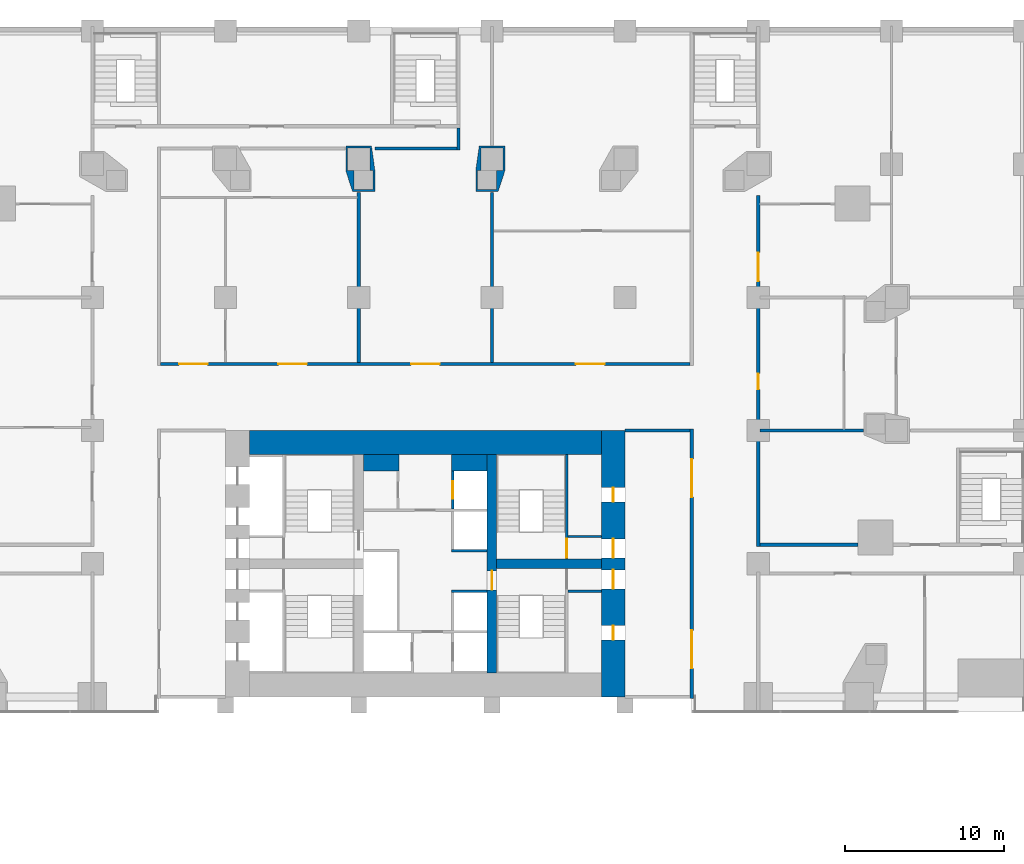
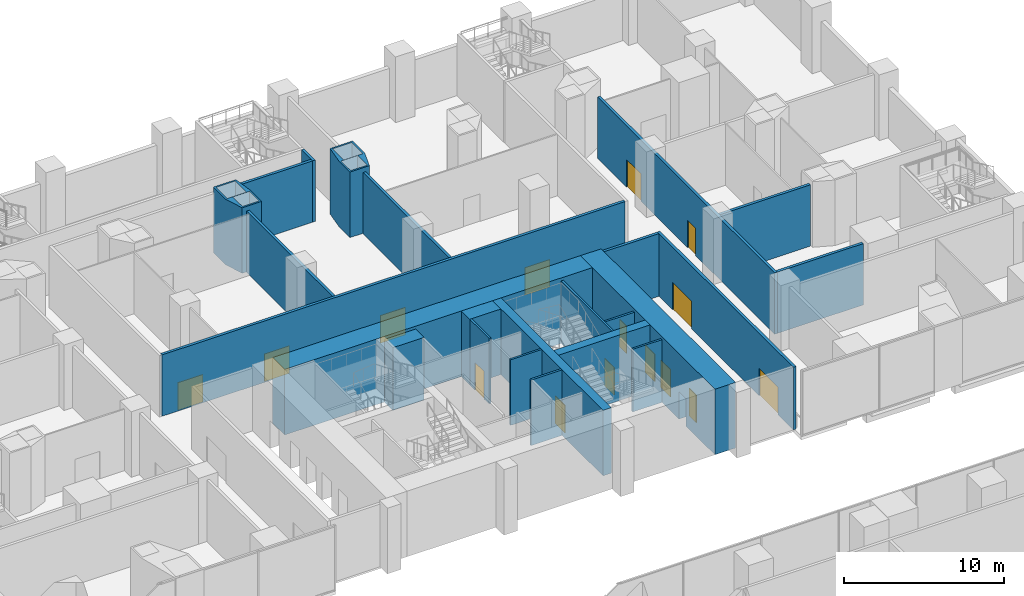
# One storey, part 14 of 24: 24 walls, 15 doors, 15 openings.
"""IFC4 building model written with IfcOpenShell, lengths in metres."""

import ifcopenshell
import ifcopenshell.guid

model = None  # the IFC model being written
_history = None  # IfcOwnerHistory: only IFC2X3 demands one
_inside = {}  # id of a spatial element -> (the spatial element, [elements in it])
_under = {}  # id of a project, library or spatial element -> (it, [spatial elements below it])
_declared = {}  # id of a project -> (the project, [libraries it declares])
_typed = {}  # id of a type object -> (the type object, [elements of that type])
_made_of = {}  # id of a material, layer set ... -> (it, [elements and type objects made of it])


def new_model(schema):
    """Start an empty IFC model of exactly this schema.

    Asked for "IFC4X3", IfcOpenShell would pick the latest addendum, in which some entities
    have other attributes; the version numbers below select the first issue.
    IFC2X3 requires an IfcOwnerHistory on every rooted entity: one is made here for all.
    """
    global model, _history
    if schema == "IFC4X3":
        model = ifcopenshell.file(schema_version=(4, 3, 0, 0))
    else:
        model = ifcopenshell.file(schema=schema)
    _inside.clear()
    _under.clear()
    _declared.clear()
    _typed.clear()
    _made_of.clear()
    _history = None
    if model.schema == "IFC2X3":
        org = make("IfcOrganization", Name="unknown")
        user = make(
            "IfcPersonAndOrganization",
            ThePerson=make("IfcPerson", FamilyName="unknown"),
            TheOrganization=org,
        )
        app = make(
            "IfcApplication",
            ApplicationDeveloper=org,
            Version="unknown",
            ApplicationFullName="unknown",
            ApplicationIdentifier="unknown",
        )
        _history = make(
            "IfcOwnerHistory",
            OwningUser=user,
            OwningApplication=app,
            ChangeAction="ADDED",
            CreationDate=0,
        )
    return model


def make(cls, **values):
    """One entity of the class cls with the attributes given. An attribute that is None is left unset."""
    return model.create_entity(
        cls, **{name: value for name, value in values.items() if value is not None}
    )


def rooted(cls, **values):
    """An entity with a GlobalId (a new one), such as an element, a storey or a relation."""
    return make(cls, GlobalId=ifcopenshell.guid.new(), OwnerHistory=_history, **values)


def si_unit(unit_type, name, prefix=None):
    """IfcSIUnit, for example si_unit("LENGTHUNIT", "METRE", prefix="MILLI")."""
    return make("IfcSIUnit", UnitType=unit_type, Prefix=prefix, Name=name)


def assignment(units):
    """IfcUnitAssignment: the units of a project."""
    return None if units is None else make("IfcUnitAssignment", Units=units)


def point(xyz):
    """IfcCartesianPoint."""
    return None if xyz is None else make("IfcCartesianPoint", Coordinates=xyz)


def direction(xyz):
    """IfcDirection."""
    return None if xyz is None else make("IfcDirection", DirectionRatios=xyz)


def frame(location, z_axis=None, x_axis=None):
    """IfcAxis2Placement3D, a coordinate frame: its origin and axes. An axis left out is left unset."""
    return make(
        "IfcAxis2Placement3D",
        Location=point(location),
        Axis=direction(z_axis),
        RefDirection=direction(x_axis),
    )


def frame_2d(location, x_axis=None):
    """IfcAxis2Placement2D, a coordinate frame in the plane: its origin and x axis."""
    return make(
        "IfcAxis2Placement2D", Location=point(location), RefDirection=direction(x_axis)
    )


def origin():
    """The frame at (0, 0, 0) with its axes left unset."""
    return frame((0.0, 0.0, 0.0))


def place(relative_to, where):
    """IfcLocalPlacement: puts the frame where relative to a parent placement (None: the world)."""
    return make(
        "IfcLocalPlacement", PlacementRelTo=relative_to, RelativePlacement=where
    )


def context(
    kind, dimensions, precision=None, world=None, true_north=None, identifier=None
):
    """IfcGeometricRepresentationContext, for example the 3D "Model" context."""
    return make(
        "IfcGeometricRepresentationContext",
        ContextIdentifier=identifier,
        ContextType=kind,
        CoordinateSpaceDimension=dimensions,
        Precision=precision,
        WorldCoordinateSystem=world,
        TrueNorth=true_north,
    )


def subcontext(parent, identifier, kind, view, scale=None):
    """IfcGeometricRepresentationSubContext, for example "Body" below "Model"."""
    return make(
        "IfcGeometricRepresentationSubContext",
        ContextIdentifier=identifier,
        ContextType=kind,
        ParentContext=parent,
        TargetScale=scale,
        TargetView=view,
    )


def project(units=None, contexts=None):
    """IfcProject with its units and contexts."""
    return rooted(
        "IfcProject",
        Name="project",
        RepresentationContexts=contexts,
        UnitsInContext=assignment(units),
    )


def spatial(cls, under=None, at=None, **own):
    """A site, building, storey or space (cls), placed at a placement, below another one or the project."""
    s = rooted(cls, ObjectPlacement=at, **own)
    if under is not None:
        _under.setdefault(under.id(), (under, []))[1].append(s)
    return s


def polyline(points):
    """IfcPolyline through the points."""
    return make("IfcPolyline", Points=[point(p) for p in points])


def profile(cls, at=None, kind="AREA", **sizes):
    """A parametric profile (cls). Its sizes go by their IFC names, for example OverallWidth=200.0."""
    return make(cls, ProfileType=kind, Position=at, **sizes)


def rectangle(**sizes):
    """IfcRectangleProfileDef."""
    return profile("IfcRectangleProfileDef", **sizes)


def outline(outer, holes=None, kind="AREA"):
    """IfcArbitraryClosedProfileDef: a profile drawn as a closed curve; with holes, ...WithVoids."""
    if holes is None:
        return make("IfcArbitraryClosedProfileDef", ProfileType=kind, OuterCurve=outer)
    return make(
        "IfcArbitraryProfileDefWithVoids",
        ProfileType=kind,
        OuterCurve=outer,
        InnerCurves=holes,
    )


def extrude(swept, where, along, depth):
    """IfcExtrudedAreaSolid: the profile swept, set in the frame where, extruded along a direction by depth."""
    return make(
        "IfcExtrudedAreaSolid",
        SweptArea=swept,
        Position=where,
        ExtrudedDirection=direction(along),
        Depth=depth,
    )


def shape(context_of_items, identifier, shape_type, items):
    """IfcShapeRepresentation: the items that make up one representation, for example the "Body"."""
    return make(
        "IfcShapeRepresentation",
        ContextOfItems=context_of_items,
        RepresentationIdentifier=identifier,
        RepresentationType=shape_type,
        Items=items,
    )


def material(Name=None, Category=None):
    """IfcMaterial."""
    return make("IfcMaterial", Name=Name, Category=Category)


def layer(
    of_material, thickness, ventilated=None, Name=None, Category=None, Priority=None
):
    """IfcMaterialLayer: one layer of a wall or slab, of a material (None: an air gap)."""
    return make(
        "IfcMaterialLayer",
        Material=of_material,
        LayerThickness=thickness,
        IsVentilated=ventilated,
        Name=Name,
        Category=Category,
        Priority=Priority,
    )


def layer_set(layers, Name=None):
    """IfcMaterialLayerSet."""
    return make("IfcMaterialLayerSet", MaterialLayers=layers, LayerSetName=Name)


def made_of(thing, what):
    """Note that an element or type object is made of a material, layer set ...; save() writes the relation."""
    if what is not None:
        _made_of.setdefault(what.id(), (what, []))[1].append(thing)
    return thing


def type_object(cls, material=None, **own):
    """A type object (cls), such as IfcWallType, which elements share."""
    return made_of(rooted(cls, **own), material)


def element(
    cls,
    number,
    at=None,
    inside=None,
    cuts=None,
    type_object=None,
    material=None,
    context=None,
    identifier="Body",
    shape_type=None,
    held_by="IfcProductDefinitionShape",
    body=None,
    shapes=None,
    **own,
):
    """One element of the class cls, such as IfcWall. Its Tag is "e" and its number.

    at: its placement. inside: the storey or other place that contains it. cuts: it is an
    opening in that element (IfcRelVoidsElement). A single representation is given by context,
    identifier, shape_type and body (its items); several are given by shapes. held_by: the class
    of the entity that holds the representations. save() writes the other relations.
    """
    e = rooted(cls, Tag="e%d" % number, ObjectPlacement=at, **own)
    if body is not None:
        shapes = [shape(context, identifier, shape_type, body)]
    if shapes is not None:
        e.Representation = make(held_by, Representations=shapes)
    if inside is not None:
        _inside.setdefault(inside.id(), (inside, []))[1].append(e)
    if cuts is not None:
        rooted(
            "IfcRelVoidsElement", RelatingBuildingElement=cuts, RelatedOpeningElement=e
        )
    if type_object is not None:
        _typed.setdefault(type_object.id(), (type_object, []))[1].append(e)
    return made_of(e, material)


def fill(opening, filler):
    """IfcRelFillsElement: the door or window that sits in an opening."""
    return rooted(
        "IfcRelFillsElement",
        RelatingOpeningElement=opening,
        RelatedBuildingElement=filler,
    )


def aggregate(whole, parts):
    """IfcRelAggregates: a whole, such as a stair, and the parts it consists of."""
    return rooted("IfcRelAggregates", RelatingObject=whole, RelatedObjects=parts)


def save(model, path):
    """Write the relations noted so far, then the file.

    IfcRelAggregates (storeys below a building ...), IfcRelContainedInSpatialStructure (elements
    in a storey), IfcRelDefinesByType, IfcRelAssociatesMaterial and IfcRelDeclares: one each for
    every whole, place, type object, material and project.
    """
    for whole, parts in _under.values():
        aggregate(whole, parts)
    for where, things in _inside.values():
        rooted(
            "IfcRelContainedInSpatialStructure",
            RelatedElements=things,
            RelatingStructure=where,
        )
    for kind, things in _typed.values():
        rooted("IfcRelDefinesByType", RelatedObjects=things, RelatingType=kind)
    for what, things in _made_of.values():
        rooted("IfcRelAssociatesMaterial", RelatedObjects=things, RelatingMaterial=what)
    for by, libraries in _declared.values():
        rooted("IfcRelDeclares", RelatingContext=by, RelatedDefinitions=libraries)
    model.write(path)


model = new_model("IFC4")

# Units and contexts
model_context = context("Model", 3, precision=1e-05, world=origin(), true_north=direction((0.0, 1.0)))
body_context = subcontext(model_context, "Body", "Model", "MODEL_VIEW")
ifc_project = project(units=[si_unit("LENGTHUNIT", "METRE"), si_unit("AREAUNIT", "SQUARE_METRE"), si_unit("VOLUMEUNIT", "CUBIC_METRE"), si_unit("PLANEANGLEUNIT", "RADIAN"), si_unit("MASSUNIT", "GRAM", prefix="KILO")], contexts=[model_context])

# Site, building, storey
site_placement = place(None, origin())
site = spatial("IfcSite", under=ifc_project, at=site_placement, CompositionType="ELEMENT")
building_placement = place(site_placement, origin())
building = spatial("IfcBuilding", under=site, at=building_placement, Name="Marenta Gate Hotel Tower", CompositionType="ELEMENT")
storey_placement = place(building_placement, frame((0.0, 0.0, 8.0)))
storey = spatial("IfcBuildingStorey", under=building, at=storey_placement, Name="L01", CompositionType="ELEMENT", Elevation=8.0)

# Wall, openings, doors
ifc_material_1 = material(Name="Concrete blockwork", Category="masonry")
ifc_layer_1 = layer(ifc_material_1, 0.199951171875)
ifc_layer_set_1 = layer_set([ifc_layer_1], Name="Concrete blockwork")
wall_type_1 = type_object("IfcWallType", Name="Core boundary wall 200 REI 180", PredefinedType="PARTITIONING", material=ifc_layer_set_1)
wall_1_placement = place(storey_placement, frame((16.800048828125, -0.10009765625, 0.0), z_axis=(0.0, 0.0, 1.0), x_axis=(0.0, 1.0, 0.0)))
wall_1 = element("IfcWall", 1, at=wall_1_placement, inside=storey, type_object=wall_type_1, Name="L01-CP-BW-E", PredefinedType="PARTITIONING", context=body_context, shape_type="SweptSolid", body=[
    extrude(rectangle(XDim=17.0, YDim=0.199951171875, at=frame_2d((8.5, 0.0))), origin(), (0.0, 0.0, 1.0), 4.780029296875),
])
opening_1_placement = place(wall_1_placement, frame((1.89990234375, 0.0, 0.0)))
opening_1 = element("IfcOpeningElement", 2, at=opening_1_placement, cuts=wall_1, Name="Opening ED-Ea-A", PredefinedType="OPENING", context=body_context, shape_type="SweptSolid", body=[
    extrude(rectangle(XDim=2.39990234375, YDim=2.10009765625, at=frame_2d((1.199951171875, 1.050048828125))), frame((0.0, 0.10009765625, 0.0), z_axis=(0.0, -1.0, 0.0), x_axis=(1.0, 0.0, 0.0)), (0.0, 0.0, 1.0), 0.199951171875),
])
opening_2_placement = place(wall_1_placement, frame((12.699951171875, 0.0, 0.0)))
opening_2 = element("IfcOpeningElement", 3, at=opening_2_placement, cuts=wall_1, Name="Opening ED-Eb-A", PredefinedType="OPENING", context=body_context, shape_type="SweptSolid", body=[
    extrude(rectangle(XDim=2.39990234375, YDim=2.10009765625, at=frame_2d((1.199951171875, 1.050048828125))), frame((0.0, 0.10009765625, 0.0), z_axis=(0.0, -1.0, 0.0), x_axis=(1.0, 0.0, 0.0)), (0.0, 0.0, 1.0), 0.199951171875),
])
ifc_material_2 = material(Name="Steel", Category="steel")
door_type_1 = type_object("IfcDoorType", Name="Core lobby entrance door 2400x2100 EI 60", OperationType="DOUBLE_DOOR_SINGLE_SWING", PredefinedType="DOOR", material=ifc_material_2)
door_1_placement = place(opening_1_placement, origin())
door_1 = element("IfcDoor", 4, at=door_1_placement, inside=storey, type_object=door_type_1, Name="ED-Ea-A", OperationType="DOUBLE_DOOR_SINGLE_SWING", OverallHeight=2.10009765625, OverallWidth=2.39990234375, PredefinedType="DOOR", context=body_context, shape_type="SweptSolid", body=[
    extrude(rectangle(XDim=2.39990234375, YDim=2.10009765625, at=frame_2d((1.199951171875, 1.050048828125))), frame((0.0, 0.02490234375, 0.0), z_axis=(0.0, -1.0, 0.0), x_axis=(1.0, 0.0, 0.0)), (0.0, 0.0, 1.0), 0.050048828125),
])
fill(opening_1, door_1)
door_2_placement = place(opening_2_placement, origin())
door_2 = element("IfcDoor", 5, at=door_2_placement, inside=storey, type_object=door_type_1, Name="ED-Eb-A", OperationType="DOUBLE_DOOR_SINGLE_SWING", OverallHeight=2.10009765625, OverallWidth=2.39990234375, PredefinedType="DOOR", context=body_context, shape_type="SweptSolid", body=[
    extrude(rectangle(XDim=2.39990234375, YDim=2.10009765625, at=frame_2d((1.199951171875, 1.050048828125))), frame((0.0, 0.02490234375, 0.0), z_axis=(0.0, -1.0, 0.0), x_axis=(1.0, 0.0, 0.0)), (0.0, 0.0, 1.0), 0.050048828125),
])
fill(opening_2, door_2)

# Walls
wall_2_placement = place(storey_placement, frame((12.60009765625, 16.800048828125, 0.0), z_axis=(0.0, 0.0, 1.0), x_axis=(1.0, 0.0, 0.0)))
element("IfcWall", 6, at=wall_2_placement, inside=storey, type_object=wall_type_1, Name="L01-CP-EW-EN", PredefinedType="PARTITIONING", context=body_context, shape_type="SweptSolid", body=[
    extrude(rectangle(XDim=4.099853515625, YDim=0.199951171875, at=frame_2d((2.0498046875, 0.0))), origin(), (0.0, 0.0, 1.0), 4.780029296875),
])
ifc_material_3 = material(Name="Concrete blockwork", Category="masonry")
ifc_layer_2 = layer(ifc_material_3, 1.050048828125)
ifc_layer_set_2 = layer_set([ifc_layer_2], Name="Concrete blockwork")
wall_type_2 = type_object("IfcWallType", Name="Core room partition 1050 REI 180", PredefinedType="PARTITIONING", material=ifc_layer_set_2)
wall_3_placement = place(storey_placement, frame((-3.89990234375, 14.77490234375, 0.0), z_axis=(0.0, 0.0, 1.0), x_axis=(1.0, 0.0, 0.0)))
element("IfcWall", 7, at=wall_3_placement, inside=storey, type_object=wall_type_2, Name="L01-CP-CW-W-riser-N", PredefinedType="PARTITIONING", context=body_context, shape_type="SweptSolid", body=[
    extrude(rectangle(XDim=2.25, YDim=1.050048828125, at=frame_2d((1.125, 0.0))), origin(), (0.0, 0.0, 1.0), 4.780029296875),
])
ifc_material_4 = material(Name="Concrete blockwork", Category="masonry")
ifc_layer_3 = layer(ifc_material_4, 0.14990234375)
ifc_layer_set_3 = layer_set([ifc_layer_3], Name="Concrete blockwork")
wall_type_3 = type_object("IfcWallType", Name="Core room partition 150 REI 180", PredefinedType="PARTITIONING", material=ifc_layer_set_3)
for number, where, z_axis, x_axis, name in (
    (8, (9.0, 6.675048828125, 0.0), (0.0, 0.0, 1.0), (1.0, 0.0, 0.0), "L01-CP-SW-ES-2"),
    (9, (9.0, 10.125, 0.0), (0.0, 0.0, 1.0), (1.0, 0.0, 0.0), "L01-CP-SW-EN-2"),
):
    element("IfcWall", number, at=place(storey_placement, frame(where, z_axis=z_axis, x_axis=x_axis)), inside=storey, type_object=wall_type_3, Name=name, PredefinedType="PARTITIONING", context=body_context, shape_type="SweptSolid", body=[
        extrude(rectangle(XDim=2.10009765625, YDim=0.14990234375, at=frame_2d((1.050048828125, 0.0))), origin(), (0.0, 0.0, 1.0), 4.780029296875),
    ])
ifc_material_5 = material(Name="Concrete C40", Category="concrete")
ifc_layer_4 = layer(ifc_material_5, 1.050048828125)
ifc_layer_set_4 = layer_set([ifc_layer_4], Name="Concrete C40")
wall_type_4 = type_object("IfcWallType", Name="Core shaft wall 1050 REI 180", PredefinedType="SHEAR", material=ifc_layer_set_4)
wall_4_placement = place(storey_placement, frame((1.64990234375, 14.77490234375, 0.0), z_axis=(0.0, 0.0, 1.0), x_axis=(1.0, 0.0, 0.0)))
element("IfcWall", 10, at=wall_4_placement, inside=storey, type_object=wall_type_4, Name="L01-SHF-CE-N-top", PredefinedType="SHEAR", context=body_context, shape_type="SweptSolid", body=[
    extrude(rectangle(XDim=2.25, YDim=1.050048828125, at=frame_2d((1.125, 0.0))), origin(), (0.0, 0.0, 1.0), 5.0),
])

# Wall, opening, door
ifc_material_6 = material(Name="Concrete C40", Category="concrete")
ifc_layer_5 = layer(ifc_material_6, 0.14990234375)
ifc_layer_set_5 = layer_set([ifc_layer_5], Name="Concrete C40")
wall_type_5 = type_object("IfcWallType", Name="Core shaft wall 150 REI 180", PredefinedType="SHEAR", material=ifc_layer_set_5)
wall_5_placement = place(storey_placement, frame((1.72509765625, 11.85009765625, 0.0), z_axis=(0.0, 0.0, 1.0), x_axis=(0.0, 1.0, 0.0)))
wall_5 = element("IfcWall", 11, at=wall_5_placement, inside=storey, type_object=wall_type_5, Name="L01-SHF-CE-N-front2", PredefinedType="SHEAR", context=body_context, shape_type="SweptSolid", body=[
    extrude(rectangle(XDim=2.39990234375, YDim=0.14990234375, at=frame_2d((1.199951171875, 0.0))), origin(), (0.0, 0.0, 1.0), 5.0),
])
opening_3_placement = place(wall_5_placement, frame((0.64990234375, 0.0, 0.0)))
opening_3 = element("IfcOpeningElement", 12, at=opening_3_placement, cuts=wall_5, Name="Opening LD-FF2", PredefinedType="OPENING", context=body_context, shape_type="SweptSolid", body=[
    extrude(rectangle(XDim=1.10009765625, YDim=2.10009765625, at=frame_2d((0.550048828125, 1.050048828125))), frame((0.0, 0.074951171875, 0.0), z_axis=(0.0, -1.0, 0.0), x_axis=(1.0, 0.0, 0.0)), (0.0, 0.0, 1.0), 0.14990234375),
])
ifc_material_7 = material(Name="Steel", Category="steel")
door_type_2 = type_object("IfcDoorType", Name="Core lift landing door 1100x2100 E 60", OperationType="SLIDING_TO_LEFT", PredefinedType="DOOR", material=ifc_material_7)
door_3_placement = place(opening_3_placement, origin())
door_3 = element("IfcDoor", 13, at=door_3_placement, inside=storey, type_object=door_type_2, Name="LD-FF2", OperationType="SLIDING_TO_LEFT", OverallHeight=2.10009765625, OverallWidth=1.10009765625, PredefinedType="DOOR", context=body_context, shape_type="SweptSolid", body=[
    extrude(rectangle(XDim=1.10009765625, YDim=2.10009765625, at=frame_2d((0.550048828125, 1.050048828125))), frame((0.0, 0.02490234375, 0.0), z_axis=(0.0, -1.0, 0.0), x_axis=(1.0, 0.0, 0.0)), (0.0, 0.0, 1.0), 0.050048828125),
])
fill(opening_3, door_3)

# Walls
for number, where, z_axis, x_axis, name in (
    (14, (1.64990234375, 6.675048828125, 0.0), (0.0, 0.0, 1.0), (1.0, 0.0, 0.0), "L01-SHF-CE-sep1"),
    (15, (1.64990234375, 9.22509765625, 0.0), (0.0, 0.0, 1.0), (1.0, 0.0, 0.0), "L01-SHF-CE-sep2"),
):
    element("IfcWall", number, at=place(storey_placement, frame(where, z_axis=z_axis, x_axis=x_axis)), inside=storey, type_object=wall_type_5, Name=name, PredefinedType="SHEAR", context=body_context, shape_type="SweptSolid", body=[
        extrude(rectangle(XDim=2.25, YDim=0.14990234375, at=frame_2d((1.125, 0.0))), origin(), (0.0, 0.0, 1.0), 5.0),
    ])

# Wall, opening, door
ifc_material_8 = material(Name="Concrete C40", Category="concrete")
ifc_layer_6 = layer(ifc_material_8, 0.14990234375)
ifc_layer_set_6 = layer_set([ifc_layer_6], Name="Concrete C40")
wall_type_6 = type_object("IfcWallType", Name="Core stair enclosure wall 150 REI 180", PredefinedType="SHEAR", material=ifc_layer_set_6)
wall_6_placement = place(storey_placement, frame((8.925048828125, 8.699951171875, 0.0), z_axis=(0.0, 0.0, 1.0), x_axis=(0.0, 1.0, 0.0)))
wall_6 = element("IfcWall", 16, at=wall_6_placement, inside=storey, type_object=wall_type_6, Name="L01-SHF-SW-EN-3", PredefinedType="SHEAR", context=body_context, shape_type="SweptSolid", body=[
    extrude(rectangle(XDim=6.60009765625, YDim=0.14990234375, at=frame_2d((3.300048828125, 0.0))), origin(), (0.0, 0.0, 1.0), 4.780029296875),
])
opening_4_placement = place(wall_6_placement, frame((0.074951171875, 0.0, 0.0)))
opening_4 = element("IfcOpeningElement", 17, at=opening_4_placement, cuts=wall_6, Name="Opening SD-EN", PredefinedType="OPENING", context=body_context, shape_type="SweptSolid", body=[
    extrude(rectangle(XDim=1.199951171875, YDim=2.10009765625, at=frame_2d((0.60009765625, 1.050048828125))), frame((0.0, 0.074951171875, 0.0), z_axis=(0.0, -1.0, 0.0), x_axis=(1.0, 0.0, 0.0)), (0.0, 0.0, 1.0), 0.14990234375),
])
ifc_material_9 = material(Name="Steel", Category="steel")
door_type_3 = type_object("IfcDoorType", Name="Core stair door 1200x2100 FD60", OperationType="SINGLE_SWING_LEFT", PredefinedType="DOOR", material=ifc_material_9)
door_4_placement = place(opening_4_placement, origin())
door_4 = element("IfcDoor", 18, at=door_4_placement, inside=storey, type_object=door_type_3, Name="SD-EN", OperationType="SINGLE_SWING_LEFT", OverallHeight=2.10009765625, OverallWidth=1.199951171875, PredefinedType="DOOR", context=body_context, shape_type="SweptSolid", body=[
    extrude(rectangle(XDim=1.199951171875, YDim=2.10009765625, at=frame_2d((0.60009765625, 1.050048828125))), frame((0.0, 0.02490234375, 0.0), z_axis=(0.0, -1.0, 0.0), x_axis=(1.0, 0.0, 0.0)), (0.0, 0.0, 1.0), 0.050048828125),
])
fill(opening_4, door_4)

# Wall, openings, doors
ifc_material_10 = material(Name="Concrete C80", Category="concrete")
ifc_layer_7 = layer(ifc_material_10, 1.5)
ifc_layer_set_7 = layer_set([ifc_layer_7], Name="Concrete C80")
wall_type_7 = type_object("IfcWallType", Name="Core wall 1500 C80", PredefinedType="SHEAR", material=ifc_layer_set_7)
wall_7_placement = place(storey_placement, frame((11.85009765625, 0.0, 0.0), z_axis=(0.0, 0.0, 1.0), x_axis=(0.0, 1.0, 0.0)))
wall_7 = element("IfcWall", 19, at=wall_7_placement, inside=storey, type_object=wall_type_7, Name="L01-CORE-E", PredefinedType="SHEAR", context=body_context, shape_type="SweptSolid", body=[
    extrude(rectangle(XDim=16.800048828125, YDim=1.5, at=frame_2d((8.39990234375, 0.0))), origin(), (0.0, 0.0, 1.0), 5.0),
])
opening_5_placement = place(wall_7_placement, frame((3.60009765625, 0.0, 0.0)))
opening_5 = element("IfcOpeningElement", 20, at=opening_5_placement, cuts=wall_7, Name="Opening RD-ES-1", PredefinedType="OPENING", context=body_context, shape_type="SweptSolid", body=[
    extrude(rectangle(XDim=0.89990234375, YDim=2.10009765625, at=frame_2d((0.449951171875, 1.050048828125))), frame((0.0, 0.75, 0.0), z_axis=(0.0, -1.0, 0.0), x_axis=(1.0, 0.0, 0.0)), (0.0, 0.0, 1.0), 1.5),
])
opening_6_placement = place(wall_7_placement, frame((6.824951171875, 0.0, 0.0)))
opening_6 = element("IfcOpeningElement", 21, at=opening_6_placement, cuts=wall_7, Name="Opening PD-ES", PredefinedType="OPENING", context=body_context, shape_type="SweptSolid", body=[
    extrude(rectangle(XDim=1.199951171875, YDim=2.10009765625, at=frame_2d((0.60009765625, 1.050048828125))), frame((0.0, 0.75, 0.0), z_axis=(0.0, -1.0, 0.0), x_axis=(1.0, 0.0, 0.0)), (0.0, 0.0, 1.0), 1.5),
])
opening_7_placement = place(wall_7_placement, frame((12.300048828125, 0.0, 0.0)))
opening_7 = element("IfcOpeningElement", 22, at=opening_7_placement, cuts=wall_7, Name="Opening RD-EN-1", PredefinedType="OPENING", context=body_context, shape_type="SweptSolid", body=[
    extrude(rectangle(XDim=0.89990234375, YDim=2.10009765625, at=frame_2d((0.449951171875, 1.050048828125))), frame((0.0, 0.75, 0.0), z_axis=(0.0, -1.0, 0.0), x_axis=(1.0, 0.0, 0.0)), (0.0, 0.0, 1.0), 1.5),
])
opening_8_placement = place(wall_7_placement, frame((8.77490234375, 0.0, 0.0)))
opening_8 = element("IfcOpeningElement", 23, at=opening_8_placement, cuts=wall_7, Name="Opening PD-EN", PredefinedType="OPENING", context=body_context, shape_type="SweptSolid", body=[
    extrude(rectangle(XDim=1.199951171875, YDim=2.10009765625, at=frame_2d((0.60009765625, 1.050048828125))), frame((0.0, 0.75, 0.0), z_axis=(0.0, -1.0, 0.0), x_axis=(1.0, 0.0, 0.0)), (0.0, 0.0, 1.0), 1.5),
])
ifc_material_11 = material(Name="Steel", Category="steel")
door_type_4 = type_object("IfcDoorType", Name="Core lobby door 1200x2100 FD60", OperationType="SINGLE_SWING_LEFT", PredefinedType="DOOR", material=ifc_material_11)
door_5_placement = place(opening_6_placement, origin())
door_5 = element("IfcDoor", 24, at=door_5_placement, inside=storey, type_object=door_type_4, Name="PD-ES", OperationType="SINGLE_SWING_LEFT", OverallHeight=2.10009765625, OverallWidth=1.199951171875, PredefinedType="DOOR", context=body_context, shape_type="SweptSolid", body=[
    extrude(rectangle(XDim=1.199951171875, YDim=2.10009765625, at=frame_2d((0.60009765625, 1.050048828125))), frame((0.0, 0.02490234375, 0.0), z_axis=(0.0, -1.0, 0.0), x_axis=(1.0, 0.0, 0.0)), (0.0, 0.0, 1.0), 0.050048828125),
])
fill(opening_6, door_5)
door_6_placement = place(opening_8_placement, origin())
door_6 = element("IfcDoor", 25, at=door_6_placement, inside=storey, type_object=door_type_4, Name="PD-EN", OperationType="SINGLE_SWING_LEFT", OverallHeight=2.10009765625, OverallWidth=1.199951171875, PredefinedType="DOOR", context=body_context, shape_type="SweptSolid", body=[
    extrude(rectangle(XDim=1.199951171875, YDim=2.10009765625, at=frame_2d((0.60009765625, 1.050048828125))), frame((0.0, 0.02490234375, 0.0), z_axis=(0.0, -1.0, 0.0), x_axis=(1.0, 0.0, 0.0)), (0.0, 0.0, 1.0), 0.050048828125),
])
fill(opening_8, door_6)
ifc_material_12 = material(Name="Steel", Category="steel")
door_type_5 = type_object("IfcDoorType", Name="Core service room door 900x2100 FD30S", OperationType="SINGLE_SWING_LEFT", PredefinedType="DOOR", material=ifc_material_12)
door_7_placement = place(opening_5_placement, origin())
door_7 = element("IfcDoor", 26, at=door_7_placement, inside=storey, type_object=door_type_5, Name="RD-ES-1", OperationType="SINGLE_SWING_LEFT", OverallHeight=2.10009765625, OverallWidth=0.89990234375, PredefinedType="DOOR", context=body_context, shape_type="SweptSolid", body=[
    extrude(rectangle(XDim=0.89990234375, YDim=2.10009765625, at=frame_2d((0.449951171875, 1.050048828125))), frame((0.0, 0.02490234375, 0.0), z_axis=(0.0, -1.0, 0.0), x_axis=(1.0, 0.0, 0.0)), (0.0, 0.0, 1.0), 0.050048828125),
])
fill(opening_5, door_7)
door_8_placement = place(opening_7_placement, origin())
door_8 = element("IfcDoor", 27, at=door_8_placement, inside=storey, type_object=door_type_5, Name="RD-EN-1", OperationType="SINGLE_SWING_LEFT", OverallHeight=2.10009765625, OverallWidth=0.89990234375, PredefinedType="DOOR", context=body_context, shape_type="SweptSolid", body=[
    extrude(rectangle(XDim=0.89990234375, YDim=2.10009765625, at=frame_2d((0.449951171875, 1.050048828125))), frame((0.0, 0.02490234375, 0.0), z_axis=(0.0, -1.0, 0.0), x_axis=(1.0, 0.0, 0.0)), (0.0, 0.0, 1.0), 0.050048828125),
])
fill(opening_7, door_8)

# Wall
wall_8_placement = place(storey_placement, frame((-11.10009765625, 16.050048828125, 0.0), z_axis=(0.0, 0.0, 1.0), x_axis=(1.0, 0.0, 0.0)))
element("IfcWall", 28, at=wall_8_placement, inside=storey, type_object=wall_type_7, Name="L01-CORE-N", PredefinedType="SHEAR", context=body_context, shape_type="SweptSolid", body=[
    extrude(rectangle(XDim=22.2001953125, YDim=1.5, at=frame_2d((11.10009765625, 0.0))), origin(), (0.0, 0.0, 1.0), 5.0),
])

# Wall, opening, door
ifc_material_13 = material(Name="Concrete C80", Category="concrete")
ifc_layer_8 = layer(ifc_material_13, 0.60009765625)
ifc_layer_set_8 = layer_set([ifc_layer_8], Name="Concrete C80")
wall_type_8 = type_object("IfcWallType", Name="Core web 600 C80", PredefinedType="SHEAR", material=ifc_layer_set_8)
wall_9_placement = place(storey_placement, frame((4.199951171875, 1.5, 0.0), z_axis=(0.0, 0.0, 1.0), x_axis=(0.0, 1.0, 0.0)))
wall_9 = element("IfcWall", 29, at=wall_9_placement, inside=storey, type_object=wall_type_8, Name="L01-CORE-W2", PredefinedType="SHEAR", context=body_context, shape_type="SweptSolid", body=[
    extrude(rectangle(XDim=13.800048828125, YDim=0.60009765625, at=frame_2d((6.89990234375, 0.0))), origin(), (0.0, 0.0, 1.0), 5.0),
])
opening_9_placement = place(wall_9_placement, frame((5.25, 0.0, 0.0)))
opening_9 = element("IfcOpeningElement", 30, at=opening_9_placement, cuts=wall_9, Name="Opening WD-E", PredefinedType="OPENING", context=body_context, shape_type="SweptSolid", body=[
    extrude(rectangle(XDim=1.199951171875, YDim=2.10009765625, at=frame_2d((0.60009765625, 1.050048828125))), frame((0.0, 0.300048828125, 0.0), z_axis=(0.0, -1.0, 0.0), x_axis=(1.0, 0.0, 0.0)), (0.0, 0.0, 1.0), 0.60009765625),
])
door_9_placement = place(opening_9_placement, origin())
door_9 = element("IfcDoor", 31, at=door_9_placement, inside=storey, type_object=door_type_3, Name="WD-E", OperationType="SINGLE_SWING_LEFT", OverallHeight=2.10009765625, OverallWidth=1.199951171875, PredefinedType="DOOR", context=body_context, shape_type="SweptSolid", body=[
    extrude(rectangle(XDim=1.199951171875, YDim=2.10009765625, at=frame_2d((0.60009765625, 1.050048828125))), frame((0.0, 0.02490234375, 0.0), z_axis=(0.0, -1.0, 0.0), x_axis=(1.0, 0.0, 0.0)), (0.0, 0.0, 1.0), 0.050048828125),
])
fill(opening_9, door_9)

# Walls
wall_10_placement = place(storey_placement, frame((4.5, 8.39990234375, 0.0), z_axis=(0.0, 0.0, 1.0), x_axis=(1.0, 0.0, 0.0)))
element("IfcWall", 32, at=wall_10_placement, inside=storey, type_object=wall_type_8, Name="L01-CORE-W4", PredefinedType="SHEAR", context=body_context, shape_type="SweptSolid", body=[
    extrude(rectangle(XDim=6.60009765625, YDim=0.60009765625, at=frame_2d((3.300048828125, 0.0))), origin(), (0.0, 0.0, 1.0), 5.0),
])
ifc_material_14 = material(Name="Concrete C70", Category="concrete")
ifc_layer_9 = layer(ifc_material_14, 1.60009765625)
ifc_layer_set_9 = layer_set([ifc_layer_9], Name="Concrete C70")
wall_type_9 = type_object("IfcWallType", Name="Pier wall board-marked concrete C70", PredefinedType="SOLIDWALL", material=ifc_layer_set_9)
wall_11_placement = place(storey_placement, origin())
element("IfcWall", 33, at=wall_11_placement, inside=storey, type_object=wall_type_9, Name="L01-PIER-6", PredefinedType="SOLIDWALL", context=body_context, shape_type="SweptSolid", body=[
    extrude(outline(polyline([(-5.02001953125, 33.200927734375), (-5.02001953125, 34.739990234375), (-3.3955078125, 34.739990234375), (-3.181396484375, 33.208251953125), (-3.181396484375, 31.8798828125), (-4.58837890625, 31.8798828125), (-5.02001953125, 33.200927734375)]), holes=[polyline([(-4.50146484375, 32.0), (-3.301513671875, 32.0), (-3.301513671875, 33.199951171875), (-4.50146484375, 33.199951171875), (-4.50146484375, 32.0)]), polyline([(-4.89990234375, 33.219970703125), (-3.5, 33.219970703125), (-3.5, 34.6201171875), (-4.89990234375, 34.6201171875), (-4.89990234375, 33.219970703125)])]), origin(), (0.0, 0.0, 1.0), 5.0),
])
wall_12_placement = place(storey_placement, origin())
element("IfcWall", 34, at=wall_12_placement, inside=storey, type_object=wall_type_9, Name="L01-PIER-7", PredefinedType="SOLIDWALL", context=body_context, shape_type="SweptSolid", body=[
    extrude(outline(polyline([(3.181396484375, 33.208251953125), (3.3955078125, 34.739990234375), (5.02001953125, 34.739990234375), (5.02001953125, 33.200927734375), (4.58837890625, 31.8798828125), (3.181396484375, 31.8798828125), (3.181396484375, 33.208251953125)]), holes=[polyline([(3.5, 33.219970703125), (4.89990234375, 33.219970703125), (4.89990234375, 34.6201171875), (3.5, 34.6201171875), (3.5, 33.219970703125)]), polyline([(3.301513671875, 32.0), (4.50146484375, 32.0), (4.50146484375, 33.199951171875), (3.301513671875, 33.199951171875), (3.301513671875, 32.0)])]), origin(), (0.0, 0.0, 1.0), 5.0),
])

# Wall, openings, doors
ifc_material_15 = material(Name="Gypsum board on steel stud", Category="steel")
ifc_layer_10 = layer(ifc_material_15, 0.199951171875)
ifc_layer_set_10 = layer_set([ifc_layer_10], Name="Gypsum board on steel stud")
wall_type_10 = type_object("IfcWallType", Name="Room corridor wall 200 EI 60", PredefinedType="PARTITIONING", material=ifc_layer_set_10)
wall_13_placement = place(storey_placement, frame((21.0, 9.5, 0.0), z_axis=(0.0, 0.0, 1.0), x_axis=(0.0, 1.0, 0.0)))
wall_13 = element("IfcWall", 35, at=wall_13_placement, inside=storey, type_object=wall_type_10, Name="L01-PTN-W014", PredefinedType="PARTITIONING", context=body_context, shape_type="SweptSolid", body=[
    extrude(rectangle(XDim=22.135009765625, YDim=0.199951171875, at=frame_2d((11.0673828125, 0.0))), origin(), (0.0, 0.0, 1.0), 4.679931640625),
])
opening_10_placement = place(wall_13_placement, frame((9.89990234375, 0.0, 0.0)))
opening_10 = element("IfcOpeningElement", 36, at=opening_10_placement, cuts=wall_13, Name="Opening S02-12", PredefinedType="OPENING", context=body_context, shape_type="SweptSolid", body=[
    extrude(rectangle(XDim=1.0, YDim=2.10009765625, at=frame_2d((0.5, 1.050048828125))), frame((0.0, 0.10009765625, 0.0), z_axis=(0.0, -1.0, 0.0), x_axis=(1.0, 0.0, 0.0)), (0.0, 0.0, 1.0), 0.199951171875),
])
opening_11_placement = place(wall_13_placement, frame((16.72509765625, 0.0, 0.0)))
opening_11 = element("IfcOpeningElement", 37, at=opening_11_placement, cuts=wall_13, Name="Opening S02-15", PredefinedType="OPENING", context=body_context, shape_type="SweptSolid", body=[
    extrude(rectangle(XDim=1.800048828125, YDim=2.10009765625, at=frame_2d((0.89990234375, 1.050048828125))), frame((0.0, 0.10009765625, 0.0), z_axis=(0.0, -1.0, 0.0), x_axis=(1.0, 0.0, 0.0)), (0.0, 0.0, 1.0), 0.199951171875),
])
ifc_material_16 = material(Name="Timber door leaf", Category="wood")
door_type_6 = type_object("IfcDoorType", Name="Room amenity door 1800x2100 EI 30", OperationType="DOUBLE_DOOR_SINGLE_SWING", PredefinedType="DOOR", material=ifc_material_16)
door_10_placement = place(opening_11_placement, origin())
door_10 = element("IfcDoor", 38, at=door_10_placement, inside=storey, type_object=door_type_6, Name="L01-PD-D015", OperationType="DOUBLE_DOOR_SINGLE_SWING", OverallHeight=2.10009765625, OverallWidth=1.800048828125, PredefinedType="DOOR", context=body_context, shape_type="SweptSolid", body=[
    extrude(rectangle(XDim=1.800048828125, YDim=2.10009765625, at=frame_2d((0.89990234375, 1.050048828125))), frame((0.0, 0.02490234375, 0.0), z_axis=(0.0, -1.0, 0.0), x_axis=(1.0, 0.0, 0.0)), (0.0, 0.0, 1.0), 0.050048828125),
])
fill(opening_11, door_10)
ifc_material_17 = material(Name="Timber door leaf", Category="wood")
door_type_7 = type_object("IfcDoorType", Name="Toilet room door 1000x2100 EI 30", OperationType="NOTDEFINED", PredefinedType="DOOR", material=ifc_material_17)
door_11_placement = place(opening_10_placement, origin())
door_11 = element("IfcDoor", 39, at=door_11_placement, inside=storey, type_object=door_type_7, Name="L01-PD-D012", OperationType="SINGLE_SWING_RIGHT", OverallHeight=2.10009765625, OverallWidth=1.0, PredefinedType="DOOR", context=body_context, shape_type="SweptSolid", body=[
    extrude(rectangle(XDim=1.0, YDim=2.10009765625, at=frame_2d((0.5, 1.050048828125))), frame((0.0, 0.02490234375, 0.0), z_axis=(0.0, -1.0, 0.0), x_axis=(1.0, 0.0, 0.0)), (0.0, 0.0, 1.0), 0.050048828125),
])
fill(opening_10, door_11)

wall_14_placement = place(storey_placement, frame((-16.699951171875, 21.0, 0.0), z_axis=(0.0, 0.0, 1.0), x_axis=(1.0, 0.0, 0.0)))
wall_14 = element("IfcWall", 40, at=wall_14_placement, inside=storey, type_object=wall_type_10, Name="L01-PTN-W053", PredefinedType="PARTITIONING", context=body_context, shape_type="SweptSolid", body=[
    extrude(rectangle(XDim=33.39990234375, YDim=0.199951171875, at=frame_2d((16.699951171875, 0.0))), origin(), (0.0, 0.0, 1.0), 4.679931640625),
])
opening_12_placement = place(wall_14_placement, frame((7.425048828125, 0.0, 0.0)))
opening_12 = element("IfcOpeningElement", 41, at=opening_12_placement, cuts=wall_14, Name="Opening S02-17", PredefinedType="OPENING", context=body_context, shape_type="SweptSolid", body=[
    extrude(rectangle(XDim=1.800048828125, YDim=2.10009765625, at=frame_2d((0.89990234375, 1.050048828125))), frame((0.0, 0.10009765625, 0.0), z_axis=(0.0, -1.0, 0.0), x_axis=(1.0, 0.0, 0.0)), (0.0, 0.0, 1.0), 0.199951171875),
])
opening_13_placement = place(wall_14_placement, frame((1.175048828125, 0.0, 0.0)))
opening_13 = element("IfcOpeningElement", 42, at=opening_13_placement, cuts=wall_14, Name="Opening S02-18", PredefinedType="OPENING", context=body_context, shape_type="SweptSolid", body=[
    extrude(rectangle(XDim=1.800048828125, YDim=2.10009765625, at=frame_2d((0.89990234375, 1.050048828125))), frame((0.0, 0.10009765625, 0.0), z_axis=(0.0, -1.0, 0.0), x_axis=(1.0, 0.0, 0.0)), (0.0, 0.0, 1.0), 0.199951171875),
])
opening_14_placement = place(wall_14_placement, frame((15.800048828125, 0.0, 0.0)))
opening_14 = element("IfcOpeningElement", 43, at=opening_14_placement, cuts=wall_14, Name="Opening S02-22", PredefinedType="OPENING", context=body_context, shape_type="SweptSolid", body=[
    extrude(rectangle(XDim=1.800048828125, YDim=2.10009765625, at=frame_2d((0.89990234375, 1.050048828125))), frame((0.0, 0.10009765625, 0.0), z_axis=(0.0, -1.0, 0.0), x_axis=(1.0, 0.0, 0.0)), (0.0, 0.0, 1.0), 0.199951171875),
])
opening_15_placement = place(wall_14_placement, frame((26.199951171875, 0.0, 0.0)))
opening_15 = element("IfcOpeningElement", 44, at=opening_15_placement, cuts=wall_14, Name="Opening S02-23", PredefinedType="OPENING", context=body_context, shape_type="SweptSolid", body=[
    extrude(rectangle(XDim=1.800048828125, YDim=2.10009765625, at=frame_2d((0.89990234375, 1.050048828125))), frame((0.0, 0.10009765625, 0.0), z_axis=(0.0, -1.0, 0.0), x_axis=(1.0, 0.0, 0.0)), (0.0, 0.0, 1.0), 0.199951171875),
])
door_12_placement = place(opening_12_placement, origin())
door_12 = element("IfcDoor", 45, at=door_12_placement, inside=storey, type_object=door_type_6, Name="L01-PD-D017", OperationType="DOUBLE_DOOR_SINGLE_SWING", OverallHeight=2.10009765625, OverallWidth=1.800048828125, PredefinedType="DOOR", context=body_context, shape_type="SweptSolid", body=[
    extrude(rectangle(XDim=1.800048828125, YDim=2.10009765625, at=frame_2d((0.89990234375, 1.050048828125))), frame((0.0, 0.02490234375, 0.0), z_axis=(0.0, -1.0, 0.0), x_axis=(1.0, 0.0, 0.0)), (0.0, 0.0, 1.0), 0.050048828125),
])
fill(opening_12, door_12)
door_13_placement = place(opening_13_placement, origin())
door_13 = element("IfcDoor", 46, at=door_13_placement, inside=storey, type_object=door_type_6, Name="L01-PD-D018", OperationType="DOUBLE_DOOR_SINGLE_SWING", OverallHeight=2.10009765625, OverallWidth=1.800048828125, PredefinedType="DOOR", context=body_context, shape_type="SweptSolid", body=[
    extrude(rectangle(XDim=1.800048828125, YDim=2.10009765625, at=frame_2d((0.89990234375, 1.050048828125))), frame((0.0, 0.02490234375, 0.0), z_axis=(0.0, -1.0, 0.0), x_axis=(1.0, 0.0, 0.0)), (0.0, 0.0, 1.0), 0.050048828125),
])
fill(opening_13, door_13)
door_14_placement = place(opening_14_placement, origin())
door_14 = element("IfcDoor", 47, at=door_14_placement, inside=storey, type_object=door_type_6, Name="L01-PD-D022", OperationType="DOUBLE_DOOR_SINGLE_SWING", OverallHeight=2.10009765625, OverallWidth=1.800048828125, PredefinedType="DOOR", context=body_context, shape_type="SweptSolid", body=[
    extrude(rectangle(XDim=1.800048828125, YDim=2.10009765625, at=frame_2d((0.89990234375, 1.050048828125))), frame((0.0, 0.02490234375, 0.0), z_axis=(0.0, -1.0, 0.0), x_axis=(1.0, 0.0, 0.0)), (0.0, 0.0, 1.0), 0.050048828125),
])
fill(opening_14, door_14)
door_15_placement = place(opening_15_placement, origin())
door_15 = element("IfcDoor", 48, at=door_15_placement, inside=storey, type_object=door_type_6, Name="L01-PD-D023", OperationType="DOUBLE_DOOR_SINGLE_SWING", OverallHeight=2.10009765625, OverallWidth=1.800048828125, PredefinedType="DOOR", context=body_context, shape_type="SweptSolid", body=[
    extrude(rectangle(XDim=1.800048828125, YDim=2.10009765625, at=frame_2d((0.89990234375, 1.050048828125))), frame((0.0, 0.02490234375, 0.0), z_axis=(0.0, -1.0, 0.0), x_axis=(1.0, 0.0, 0.0)), (0.0, 0.0, 1.0), 0.050048828125),
])
fill(opening_15, door_15)

# Walls
ifc_material_18 = material(Name="Concrete blockwork", Category="masonry")
ifc_layer_11 = layer(ifc_material_18, 0.199951171875)
ifc_layer_set_11 = layer_set([ifc_layer_11], Name="Concrete blockwork")
wall_type_11 = type_object("IfcWallType", Name="Room corridor wall 200 REI 180", PredefinedType="PARTITIONING", material=ifc_layer_set_11)
wall_15_placement = place(storey_placement, frame((2.10009765625, 34.5, 0.0), z_axis=(0.0, 0.0, 1.0), x_axis=(0.0, 1.0, 0.0)))
element("IfcWall", 49, at=wall_15_placement, inside=storey, type_object=wall_type_11, Name="L01-PTN-W027", PredefinedType="PARTITIONING", context=body_context, shape_type="SweptSolid", body=[
    extrude(rectangle(XDim=1.39990234375, YDim=0.199951171875, at=frame_2d((0.699951171875, 0.0))), origin(), (0.0, 0.0, 1.0), 4.679931640625),
])
wall_16_placement = place(storey_placement, frame((21.10009765625, 9.60009765625, 0.0), z_axis=(0.0, 0.0, 1.0), x_axis=(1.0, 0.0, 0.0)))
element("IfcWall", 50, at=wall_16_placement, inside=storey, type_object=wall_type_11, Name="L01-PTN-W035", PredefinedType="PARTITIONING", context=body_context, shape_type="SweptSolid", body=[
    extrude(rectangle(XDim=6.199951171875, YDim=0.199951171875, at=frame_2d((3.10009765625, 0.0))), origin(), (0.0, 0.0, 1.0), 4.679931640625),
])
wall_17_placement = place(storey_placement, frame((-3.180908203125, 34.60009765625, 0.0), z_axis=(0.0, 0.0, 1.0), x_axis=(1.0, 0.0, 0.0)))
element("IfcWall", 51, at=wall_17_placement, inside=storey, type_object=wall_type_11, Name="L01-PTN-W073", PredefinedType="PARTITIONING", context=body_context, shape_type="SweptSolid", body=[
    extrude(rectangle(XDim=5.180908203125, YDim=0.199951171875, at=frame_2d((2.59033203125, 0.0))), origin(), (0.0, 0.0, 1.0), 4.679931640625),
])
ifc_material_19 = material(Name="Concrete blockwork", Category="masonry")
ifc_layer_12 = layer(ifc_material_19, 0.199951171875)
ifc_layer_set_12 = layer_set([ifc_layer_12], Name="Concrete blockwork")
wall_type_12 = type_object("IfcWallType", Name="Room party wall 200 EI 120", PredefinedType="PARTITIONING", material=ifc_layer_set_12)
wall_18_placement = place(storey_placement, frame((4.199951171875, 21.10009765625, 0.0), z_axis=(0.0, 0.0, 1.0), x_axis=(0.0, 1.0, 0.0)))
element("IfcWall", 52, at=wall_18_placement, inside=storey, type_object=wall_type_12, Name="L01-PTN-W023", PredefinedType="PARTITIONING", context=body_context, shape_type="SweptSolid", body=[
    extrude(rectangle(XDim=10.72998046875, YDim=0.199951171875, at=frame_2d((5.364990234375, 0.0))), origin(), (0.0, 0.0, 1.0), 4.679931640625),
])
ifc_material_20 = material(Name="Gypsum board on steel stud", Category="steel")
ifc_layer_13 = layer(ifc_material_20, 0.199951171875)
ifc_layer_set_13 = layer_set([ifc_layer_13], Name="Gypsum board on steel stud")
wall_type_13 = type_object("IfcWallType", Name="Room party wall 200 EI 60", PredefinedType="PARTITIONING", material=ifc_layer_set_13)
wall_19_placement = place(storey_placement, frame((-4.199951171875, 21.10009765625, 0.0), z_axis=(0.0, 0.0, 1.0), x_axis=(0.0, 1.0, 0.0)))
element("IfcWall", 53, at=wall_19_placement, inside=storey, type_object=wall_type_13, Name="L01-PTN-W030", PredefinedType="PARTITIONING", context=body_context, shape_type="SweptSolid", body=[
    extrude(rectangle(XDim=10.72998046875, YDim=0.199951171875, at=frame_2d((5.364990234375, 0.0))), origin(), (0.0, 0.0, 1.0), 4.679931640625),
])
wall_20_placement = place(storey_placement, frame((21.10009765625, 16.800048828125, 0.0), z_axis=(0.0, 0.0, 1.0), x_axis=(1.0, 0.0, 0.0)))
element("IfcWall", 54, at=wall_20_placement, inside=storey, type_object=wall_type_13, Name="L01-PTN-W044", PredefinedType="PARTITIONING", context=body_context, shape_type="SweptSolid", body=[
    extrude(rectangle(XDim=6.52978515625, YDim=0.199951171875, at=frame_2d((3.264892578125, 0.0))), origin(), (0.0, 0.0, 1.0), 4.679931640625),
])

save(model, "model.ifc")
